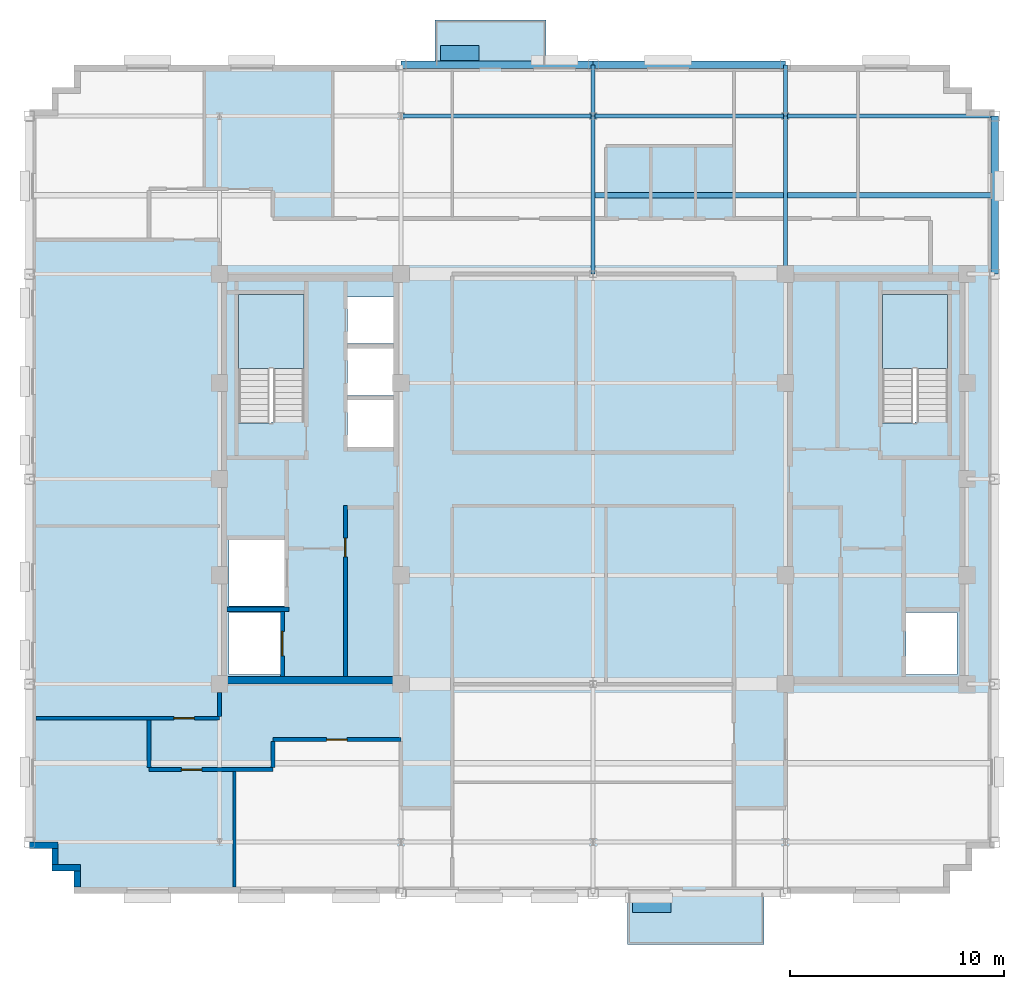
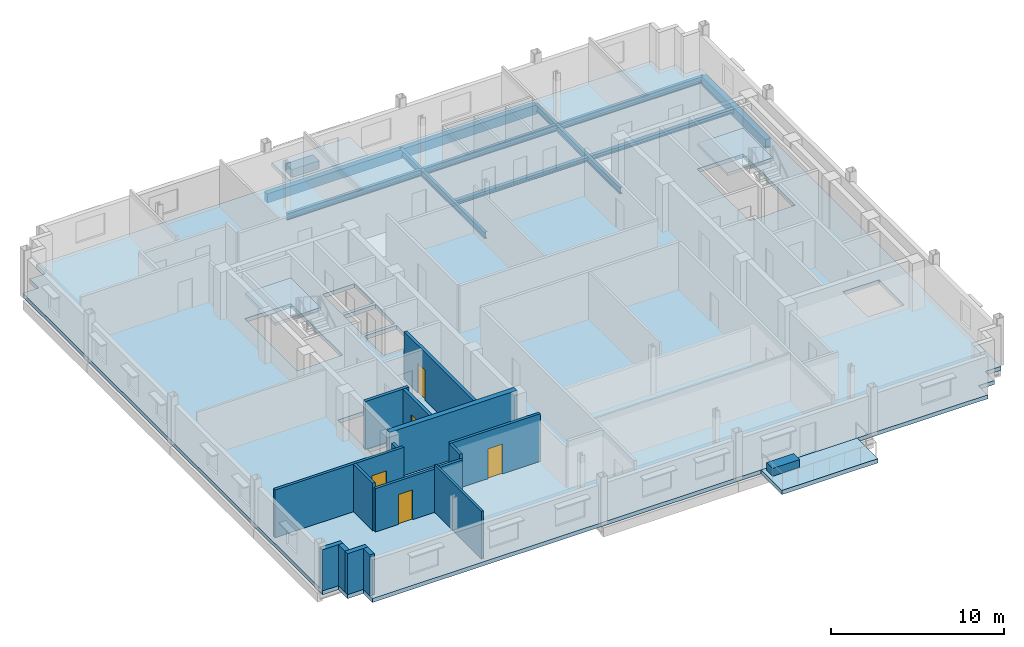
# One storey, part 5 of 13: 15 walls, 12 beams, 5 doors, 5 slabs, 2 plates, 5 openings, 2 elements without a shape of their own.
"""IFC4 building model written with IfcOpenShell, lengths in metres."""

from ifc_helpers import new_model, si_unit, direction, frame, frame_2d, origin, origin_2d, place, context, subcontext, project, spatial, polyline, rectangle, i_section, outline, extrude, source, transform, mapped, material, layer, layer_set, material_profile, profile_set, type_object, type_shapes, element, fill, aggregate, save


model = new_model("IFC4")

# Units and contexts
model_context = context("Model", 3, precision=1e-05, world=origin(), true_north=direction((0.0, 1.0)))
body_context = subcontext(model_context, "Body", "Model", "MODEL_VIEW")
ifc_project = project(units=[si_unit("LENGTHUNIT", "METRE"), si_unit("AREAUNIT", "SQUARE_METRE"), si_unit("VOLUMEUNIT", "CUBIC_METRE"), si_unit("PLANEANGLEUNIT", "RADIAN"), si_unit("MASSUNIT", "GRAM", prefix="KILO")], contexts=[model_context])

# Site, building, storey
site_placement = place(None, origin())
site = spatial("IfcSite", under=ifc_project, at=site_placement, CompositionType="ELEMENT")
building_placement = place(site_placement, origin())
building = spatial("IfcBuilding", under=site, at=building_placement, Name="Nuvemarco Arch Tower", CompositionType="ELEMENT")
storey_placement = place(building_placement, frame((0.0, 0.0, 231.050048828125)))
storey = spatial("IfcBuildingStorey", under=building, at=storey_placement, Name="L61", CompositionType="ELEMENT", Elevation=231.050048828125)

# Beams
ifc_material_1 = material(Name="Steel S355", Category="steel")
ifc_material_profile_1 = material_profile(ifc_material_1, i_section(OverallWidth=0.19189453125, OverallDepth=0.462890625, WebThickness=0.010498046875, FlangeThickness=0.017578125, FilletRadius=0.014892578125, at=origin_2d()), Name="W460x89")
ifc_profile_set_1 = profile_set([ifc_material_profile_1], Name="Steel S355")
beam_type_1 = type_object("IfcBeamType", Name="BM-GIRD-460", PredefinedType="BEAM", material=ifc_profile_set_1)
beam_1_placement = place(storey_placement, frame((0.0, 9.60009765625, -0.511474609375), z_axis=(0.0, 1.0, 0.0), x_axis=(-1.0, 0.0, 0.0)))
element("IfcBeam", 1, at=beam_1_placement, inside=storey, type_object=beam_type_1, Name="L61 structural beam BGNS_L61_0_+0.0_+9.6", PredefinedType="BEAM", context=body_context, shape_type="SweptSolid", body=[
    extrude(i_section(OverallWidth=0.19189453125, OverallDepth=0.462890625, WebThickness=0.010498046875, FlangeThickness=0.017578125, FilletRadius=0.014892578125, at=origin_2d()), origin(), (0.0, 0.0, 1.0), 7.39990234375),
])
beam_2_placement = place(storey_placement, frame((0.0, 17.0, -0.511474609375), z_axis=(0.0, 1.0, 0.0), x_axis=(-1.0, 0.0, 0.0)))
element("IfcBeam", 2, at=beam_2_placement, inside=storey, type_object=beam_type_1, Name="L61 structural beam BGNS_L61_0_+0.0_+17.0", PredefinedType="BEAM", context=body_context, shape_type="SweptSolid", body=[
    extrude(i_section(OverallWidth=0.19189453125, OverallDepth=0.462890625, WebThickness=0.010498046875, FlangeThickness=0.017578125, FilletRadius=0.014892578125, at=origin_2d()), origin(), (0.0, 0.0, 1.0), 2.39990234375),
])
beam_3_placement = place(storey_placement, frame((9.0, 9.60009765625, -0.511474609375), z_axis=(0.0, 1.0, 0.0), x_axis=(-1.0, 0.0, 0.0)))
element("IfcBeam", 3, at=beam_3_placement, inside=storey, type_object=beam_type_1, Name="L61 structural beam BGNS_L61_0_+9.0_+9.6", PredefinedType="BEAM", context=body_context, shape_type="SweptSolid", body=[
    extrude(i_section(OverallWidth=0.19189453125, OverallDepth=0.462890625, WebThickness=0.010498046875, FlangeThickness=0.017578125, FilletRadius=0.014892578125, at=origin_2d()), origin(), (0.0, 0.0, 1.0), 7.39990234375),
])
beam_4_placement = place(storey_placement, frame((9.0, 17.0, -0.511474609375), z_axis=(0.0, 1.0, 0.0), x_axis=(-1.0, 0.0, 0.0)))
element("IfcBeam", 4, at=beam_4_placement, inside=storey, type_object=beam_type_1, Name="L61 structural beam BGNS_L61_0_+9.0_+17.0", PredefinedType="BEAM", context=body_context, shape_type="SweptSolid", body=[
    extrude(i_section(OverallWidth=0.19189453125, OverallDepth=0.462890625, WebThickness=0.010498046875, FlangeThickness=0.017578125, FilletRadius=0.014892578125, at=origin_2d()), origin(), (0.0, 0.0, 1.0), 2.39990234375),
])
for number, where, z_axis, x_axis, name in (
    (5, (-9.0, 17.0, -0.511474609375), (1.0, 0.0, 0.0), (0.0, 1.0, 0.0), "L61 structural beam BGEW_L61_0_+17.0_-9.0"),
    (6, (0.0, 17.0, -0.511474609375), (1.0, 0.0, 0.0), (0.0, 1.0, 0.0), "L61 structural beam BGEW_L61_0_+17.0_+0.0"),
):
    element("IfcBeam", number, at=place(storey_placement, frame(where, z_axis=z_axis, x_axis=x_axis)), inside=storey, type_object=beam_type_1, Name=name, PredefinedType="BEAM", context=body_context, shape_type="SweptSolid", body=[
        extrude(i_section(OverallWidth=0.19189453125, OverallDepth=0.462890625, WebThickness=0.010498046875, FlangeThickness=0.017578125, FilletRadius=0.014892578125, at=origin_2d()), origin(), (0.0, 0.0, 1.0), 9.0),
    ])
beam_5_placement = place(storey_placement, frame((9.0, 17.0, -0.511474609375), z_axis=(1.0, 0.0, 0.0), x_axis=(0.0, 1.0, 0.0)))
element("IfcBeam", 7, at=beam_5_placement, inside=storey, type_object=beam_type_1, Name="L61 structural beam BGEW_L61_0_+17.0_+9.0", PredefinedType="BEAM", context=body_context, shape_type="SweptSolid", body=[
    extrude(i_section(OverallWidth=0.19189453125, OverallDepth=0.462890625, WebThickness=0.010498046875, FlangeThickness=0.017578125, FilletRadius=0.014892578125, at=origin_2d()), origin(), (0.0, 0.0, 1.0), 9.800048828125),
])
ifc_material_profile_2 = material_profile(ifc_material_1, i_section(OverallWidth=0.25390625, OverallDepth=0.305908203125, WebThickness=0.0087890625, FlangeThickness=0.0146484375, FilletRadius=0.014892578125, at=origin_2d()), Name="W310x79")
ifc_profile_set_2 = profile_set([ifc_material_profile_2], Name="Steel S355")
beam_type_2 = type_object("IfcBeamType", Name="BM-JOIST-310H", PredefinedType="JOIST", material=ifc_profile_set_2)
beam_6_placement = place(storey_placement, frame((0.095947265625, 13.300048828125, -0.43310546875), z_axis=(1.0, 0.0, 0.0), x_axis=(0.0, 1.0, 0.0)))
element("IfcBeam", 8, at=beam_6_placement, inside=storey, type_object=beam_type_2, Name="L61 structural beam BJ_L61_0_+13.3_+0.0", PredefinedType="JOIST", context=body_context, shape_type="SweptSolid", body=[
    extrude(i_section(OverallWidth=0.25390625, OverallDepth=0.305908203125, WebThickness=0.0087890625, FlangeThickness=0.0146484375, FilletRadius=0.014892578125, at=origin_2d()), origin(), (0.0, 0.0, 1.0), 8.80810546875),
])
beam_7_placement = place(storey_placement, frame((9.095947265625, 13.300048828125, -0.43310546875), z_axis=(1.0, 0.0, 0.0), x_axis=(0.0, 1.0, 0.0)))
element("IfcBeam", 9, at=beam_7_placement, inside=storey, type_object=beam_type_2, Name="L61 structural beam BJ_L61_0_+13.3_+9.0", PredefinedType="JOIST", context=body_context, shape_type="SweptSolid", body=[
    extrude(i_section(OverallWidth=0.25390625, OverallDepth=0.305908203125, WebThickness=0.0087890625, FlangeThickness=0.0146484375, FilletRadius=0.014892578125, at=origin_2d()), origin(), (0.0, 0.0, 1.0), 9.529052734375),
])
ifc_material_2 = material(Name="Precast concrete C45/55", Category="concrete")
ifc_material_profile_3 = material_profile(ifc_material_2, rectangle(XDim=0.35009765625, YDim=0.64990234375, at=origin_2d()), Name="PC-SP-350x650")
ifc_profile_set_3 = profile_set([ifc_material_profile_3], Name="Precast concrete C45/55")
beam_type_3 = type_object("IfcBeamType", Name="BM-SPAN-RC", PredefinedType="SPANDREL", material=ifc_profile_set_3)
beam_8_placement = place(storey_placement, frame((18.800048828125, 9.60009765625, -0.60498046875), z_axis=(0.0, 1.0, 0.0), x_axis=(-1.0, 0.0, 0.0)))
element("IfcBeam", 10, at=beam_8_placement, inside=storey, type_object=beam_type_3, Name="L61 structural beam BGNS_L61_0_+18.8_+9.6", PredefinedType="SPANDREL", context=body_context, shape_type="SweptSolid", body=[
    extrude(rectangle(XDim=0.35009765625, YDim=0.64990234375, at=origin_2d()), origin(), (0.0, 0.0, 1.0), 7.39990234375),
])
for number, where, z_axis, x_axis, name in (
    (11, (-9.0, 19.39990234375, -0.60498046875), (1.0, 0.0, 0.0), (0.0, 1.0, 0.0), "L61 structural beam BGEW_L61_0_+19.4_-9.0"),
    (12, (0.0, 19.39990234375, -0.60498046875), (1.0, 0.0, 0.0), (0.0, 1.0, 0.0), "L61 structural beam BGEW_L61_0_+19.4_+0.0"),
):
    element("IfcBeam", number, at=place(storey_placement, frame(where, z_axis=z_axis, x_axis=x_axis)), inside=storey, type_object=beam_type_3, Name=name, PredefinedType="SPANDREL", context=body_context, shape_type="SweptSolid", body=[
        extrude(rectangle(XDim=0.35009765625, YDim=0.64990234375, at=origin_2d()), origin(), (0.0, 0.0, 1.0), 9.0),
    ])

# Slab
ifc_material_3 = material(Name="Concrete C50/60", Category="concrete")
ifc_layer_1 = layer(ifc_material_3, 0.280029296875, Name="SL-FLR-280")
ifc_layer_set_1 = layer_set([ifc_layer_1], Name="Concrete C50/60")
slab_type_1 = type_object("IfcSlabType", Name="SL-FLR-280", PredefinedType="FLOOR", material=ifc_layer_set_1)
slab_1_placement = place(storey_placement, frame((0.0, 0.0, -0.280029296875)))
element("IfcSlab", 13, at=slab_1_placement, inside=storey, type_object=slab_type_1, Name="L61 structural floor slab", PredefinedType="FLOOR", context=body_context, shape_type="SweptSolid", body=[
    extrude(outline(polyline([(-24.300048828125, -19.39990234375), (16.699951171875, -19.39990234375), (16.699951171875, -18.35009765625), (17.75, -18.35009765625), (17.75, -17.300048828125), (18.800048828125, -17.300048828125), (18.800048828125, 17.300048828125), (17.75, 17.300048828125), (17.75, 18.35009765625), (16.699951171875, 18.35009765625), (16.699951171875, 19.39990234375), (-24.300048828125, 19.39990234375), (-24.300048828125, 18.35009765625), (-25.35009765625, 18.35009765625), (-25.35009765625, 17.300048828125), (-26.39990234375, 17.300048828125), (-26.39990234375, -17.300048828125), (-25.35009765625, -17.300048828125), (-25.35009765625, -18.35009765625), (-24.300048828125, -18.35009765625), (-24.300048828125, -19.39990234375)]), holes=[polyline([(-13.5400390625, 2.669921875), (-13.5400390625, 8.64990234375), (-16.60009765625, 8.64990234375), (-16.60009765625, 2.630615234375), (-15.070068359375, 2.630615234375), (-15.070068359375, 2.669921875), (-13.5400390625, 2.669921875)]), polyline([(16.60009765625, 2.669921875), (16.60009765625, 8.64990234375), (13.5400390625, 8.64990234375), (13.5400390625, 2.630615234375), (15.070068359375, 2.630615234375), (15.070068359375, 2.669921875), (16.60009765625, 2.669921875)]), polyline([(-17.050048828125, -9.14990234375), (-14.64990234375, -9.14990234375), (-14.64990234375, -6.25), (-17.050048828125, -6.25), (-17.050048828125, -9.14990234375)]), polyline([(-17.050048828125, -5.949951171875), (-14.449951171875, -5.949951171875), (-14.449951171875, -2.85009765625), (-17.050048828125, -2.85009765625), (-17.050048828125, -5.949951171875)]), polyline([(-11.5, 1.5), (-9.35009765625, 1.5), (-9.35009765625, 3.699951171875), (-11.5, 3.699951171875), (-11.5, 1.5)]), polyline([(-11.5, 3.919921875), (-9.35009765625, 3.919921875), (-9.35009765625, 6.1201171875), (-11.5, 6.1201171875), (-11.5, 3.919921875)]), polyline([(-11.5, 6.340087890625), (-9.35009765625, 6.340087890625), (-9.35009765625, 8.5400390625), (-11.5, 8.5400390625), (-11.5, 6.340087890625)]), polyline([(14.64990234375, -9.14990234375), (17.050048828125, -9.14990234375), (17.050048828125, -6.25), (14.64990234375, -6.25), (14.64990234375, -9.14990234375)])]), origin(), (0.0, 0.0, 1.0), 0.280029296875),
])

# Stair, slab
stair_type = type_object("IfcStairType", Name="ST-CORE-20R", PredefinedType="HALF_TURN_STAIR", material=ifc_material_2)
stair_1_placement = place(storey_placement, origin())
stair_1 = element("IfcStair", 14, at=stair_1_placement, inside=storey, type_object=stair_type, Name="L61 Protected Exit Stair ST-1", PredefinedType="HALF_TURN_STAIR")
ifc_layer_2 = layer(ifc_material_2, 0.199951171875, Name="SL-LANDING-200")
ifc_layer_set_2 = layer_set([ifc_layer_2], Name="Precast concrete C45/55")
slab_type_2 = type_object("IfcSlabType", Name="SL-LANDING-200", PredefinedType="LANDING", material=ifc_layer_set_2)
slab_2_placement = place(storey_placement, frame((0.0, 0.0, 1.625)))
slab_2 = element("IfcSlab", 15, at=slab_2_placement, type_object=slab_type_2, Name="ST-20R landing 1", PredefinedType="LANDING", context=body_context, shape_type="SweptSolid", body=[
    extrude(outline(polyline([(-13.5400390625, 5.189453125), (-13.5400390625, 8.64990234375), (-16.60009765625, 8.64990234375), (-16.60009765625, 5.169921875), (-15.070068359375, 5.169921875), (-15.070068359375, 5.189453125), (-13.5400390625, 5.189453125)])), origin(), (0.0, 0.0, 1.0), 0.199951171875),
])
aggregate(stair_1, [slab_2])

stair_2_placement = place(storey_placement, origin())
stair_2 = element("IfcStair", 16, at=stair_2_placement, inside=storey, type_object=stair_type, Name="L61 Protected Exit Stair ST-2", PredefinedType="HALF_TURN_STAIR")
slab_3_placement = place(storey_placement, frame((0.0, 0.0, 1.625)))
slab_3 = element("IfcSlab", 17, at=slab_3_placement, type_object=slab_type_2, Name="ST-20R landing 1", PredefinedType="LANDING", context=body_context, shape_type="SweptSolid", body=[
    extrude(outline(polyline([(16.60009765625, 5.189453125), (16.60009765625, 8.64990234375), (13.5400390625, 8.64990234375), (13.5400390625, 5.169921875), (15.070068359375, 5.169921875), (15.070068359375, 5.189453125), (16.60009765625, 5.189453125)])), origin(), (0.0, 0.0, 1.0), 0.199951171875),
])
aggregate(stair_2, [slab_3])

# Slabs
ifc_layer_3 = layer(ifc_material_3, 0.264892578125, Name="SL-TB1")
ifc_layer_set_3 = layer_set([ifc_layer_3], Name="Concrete C50/60")
slab_type_3 = type_object("IfcSlabType", Name="SL-TB1", PredefinedType="FLOOR", material=ifc_layer_set_3)
slab_4_placement = place(storey_placement, frame((0.0, 0.0, -0.26513671875)))
element("IfcSlab", 18, at=slab_4_placement, inside=storey, type_object=slab_type_3, Name="L61 outdoor tree balcony slab 2", PredefinedType="FLOOR", context=body_context, shape_type="SweptSolid", body=[
    extrude(outline(polyline([(-7.39990234375, 19.39990234375), (-2.199951171875, 19.39990234375), (-2.199951171875, 21.5), (-7.39990234375, 21.5), (-7.39990234375, 19.39990234375)])), origin(), (0.0, 0.0, 1.0), 0.26513671875),
])
ifc_layer_4 = layer(ifc_material_3, 0.294921875, Name="SL-TR4")
ifc_layer_set_4 = layer_set([ifc_layer_4], Name="Concrete C50/60")
slab_type_4 = type_object("IfcSlabType", Name="SL-TR4", PredefinedType="FLOOR", material=ifc_layer_set_4)
slab_5_placement = place(storey_placement, frame((0.0, 0.0, -0.295166015625)))
element("IfcSlab", 19, at=slab_5_placement, inside=storey, type_object=slab_type_4, Name="L61 outdoor spiral terrace slab 1", PredefinedType="FLOOR", context=body_context, shape_type="SweptSolid", body=[
    extrude(outline(polyline([(1.60009765625, -21.800048828125), (8.0, -21.800048828125), (8.0, -19.39990234375), (1.60009765625, -19.39990234375), (1.60009765625, -21.800048828125)])), origin(), (0.0, 0.0, 1.0), 0.295166015625),
])

# Plates
ifc_layer_5 = layer(ifc_material_2, 0.550048828125, Name="Tree Balcony Structural Planter")
ifc_layer_set_5 = layer_set([ifc_layer_5], Name="Precast concrete C45/55")
plate_type = type_object("IfcPlateType", Name="Tree Balcony Structural Planter", PredefinedType="USERDEFINED", material=ifc_layer_set_5)
shared_shape_1 = source(origin(), body_context, "Body", "SweptSolid", [
    extrude(rectangle(XDim=1.800048828125, YDim=0.699951171875, at=origin_2d()), origin(), (0.0, 0.0, 1.0), 0.550048828125),
])
type_shapes(plate_type, [shared_shape_1])
for number, where, z_axis, x_axis, name in (
    (20, (2.75, -19.949951171875, 0.0), (0.0, 0.0, 1.0), (1.0, 0.0, 0.0), "L61 Tree Balcony Structural Planter"),
    (21, (-6.25, 19.949951171875, 0.0), (0.0, 0.0, 1.0), (1.0, 0.0, 0.0), "L61 Tree Balcony Structural Planter"),
):
    element("IfcPlate", number, at=place(storey_placement, frame(where, z_axis=z_axis, x_axis=x_axis)), inside=storey, type_object=plate_type, Name=name, ObjectType="PLANTER", PredefinedType="USERDEFINED", context=body_context, shape_type="MappedRepresentation", body=[
        mapped(shared_shape_1, transform((0.0, 0.0, 0.0), scale=1.0)),
    ])

# Walls
ifc_layer_6 = layer(ifc_material_2, 0.300048828125, Name="EW-HIGH-300")
ifc_layer_set_6 = layer_set([ifc_layer_6], Name="Precast concrete C45/55")
wall_type_1 = type_object("IfcWallType", Name="EW-HIGH-300", PredefinedType="STANDARD", material=ifc_layer_set_6)
wall_1_placement = place(storey_placement, frame((-26.39990234375, -17.14990234375, 0.0), z_axis=(0.0, 0.0, 1.0), x_axis=(1.0, 0.0, 0.0)))
element("IfcWall", 22, at=wall_1_placement, inside=storey, type_object=wall_type_1, Name="L61 exterior precast facade wall 17", PredefinedType="STANDARD", context=body_context, shape_type="SweptSolid", body=[
    extrude(rectangle(XDim=1.349853515625, YDim=0.300048828125, at=frame_2d((0.6748046875, 0.0))), origin(), (0.0, 0.0, 1.0), 2.891845703125),
])
wall_2_placement = place(storey_placement, frame((-25.199951171875, -18.053955078125, 0.0), z_axis=(0.0, 0.0, 1.0), x_axis=(0.0, 1.0, 0.0)))
element("IfcWall", 23, at=wall_2_placement, inside=storey, type_object=wall_type_1, Name="L61 exterior precast facade wall 18", PredefinedType="STANDARD", context=body_context, shape_type="SweptSolid", body=[
    extrude(rectangle(XDim=0.758056640625, YDim=0.300048828125, at=frame_2d((0.37890625, 0.0))), origin(), (0.0, 0.0, 1.0), 2.891845703125),
])
wall_3_placement = place(storey_placement, frame((-25.35009765625, -18.199951171875, 0.0), z_axis=(0.0, 0.0, 1.0), x_axis=(1.0, 0.0, 0.0)))
element("IfcWall", 24, at=wall_3_placement, inside=storey, type_object=wall_type_1, Name="L61 exterior precast facade wall 19", PredefinedType="STANDARD", context=body_context, shape_type="SweptSolid", body=[
    extrude(rectangle(XDim=1.35009765625, YDim=0.300048828125, at=frame_2d((0.675048828125, 0.0))), origin(), (0.0, 0.0, 1.0), 2.891845703125),
])
wall_4_placement = place(storey_placement, frame((-24.14990234375, -19.10400390625, 0.0), z_axis=(0.0, 0.0, 1.0), x_axis=(0.0, 1.0, 0.0)))
element("IfcWall", 25, at=wall_4_placement, inside=storey, type_object=wall_type_1, Name="L61 exterior precast facade wall 20", PredefinedType="STANDARD", context=body_context, shape_type="SweptSolid", body=[
    extrude(rectangle(XDim=0.758056640625, YDim=0.300048828125, at=frame_2d((0.37890625, 0.0))), origin(), (0.0, 0.0, 1.0), 2.891845703125),
])
ifc_layer_7 = layer(ifc_material_3, 0.35009765625, Name="WL-CORE-350")
ifc_layer_set_7 = layer_set([ifc_layer_7], Name="Concrete C50/60")
wall_type_2 = type_object("IfcWallType", Name="WL-CORE-350", PredefinedType="SHEAR", material=ifc_layer_set_7)
wall_5_placement = place(storey_placement, frame((-17.5, -9.425048828125, 0.0), z_axis=(0.0, 0.0, 1.0), x_axis=(1.0, 0.0, 0.0)))
element("IfcWall", 26, at=wall_5_placement, inside=storey, type_object=wall_type_2, Name="L61 W-core shear wall S", PredefinedType="SHEAR", context=body_context, shape_type="SweptSolid", body=[
    extrude(rectangle(XDim=8.5, YDim=0.35009765625, at=frame_2d((4.25, 0.0))), origin(), (0.0, 0.0, 1.0), 3.369873046875),
])

# Wall, opening, door
ifc_material_4 = material(Name="Fire-rated gypsum drywall partition")
ifc_layer_8 = layer(ifc_material_4, 0.179931640625, Name="WL-CORR-180")
ifc_layer_set_8 = layer_set([ifc_layer_8], Name="Fire-rated gypsum drywall partition")
wall_type_3 = type_object("IfcWallType", Name="WL-CORR-180", PredefinedType="PARTITIONING", material=ifc_layer_set_8)
wall_6_placement = place(storey_placement, frame((-20.800048828125, -13.60009765625, 0.0), z_axis=(0.0, 0.0, 1.0), x_axis=(1.0, 0.0, 0.0)))
wall_6 = element("IfcWall", 27, at=wall_6_placement, inside=storey, type_object=wall_type_3, Name="L61 interior wall IW-L61-004", PredefinedType="PARTITIONING", context=body_context, shape_type="SweptSolid", body=[
    extrude(rectangle(XDim=5.800048828125, YDim=0.179931640625, at=frame_2d((2.89990234375, 0.0))), origin(), (0.0, 0.0, 1.0), 3.049072265625),
])
opening_1_placement = place(wall_6_placement, frame((1.52001953125, 0.0, 0.0)))
opening_1 = element("IfcOpeningElement", 28, at=opening_1_placement, cuts=wall_6, Name="Opening FD-5", PredefinedType="OPENING", context=body_context, shape_type="SweptSolid", body=[
    extrude(rectangle(XDim=0.9599609375, YDim=2.10009765625, at=frame_2d((0.47998046875, 1.050048828125))), frame((0.0, 0.099853515625, 0.0), z_axis=(0.0, -1.0, 0.0), x_axis=(1.0, 0.0, 0.0)), (0.0, 0.0, 1.0), 0.199951171875),
])
ifc_material_5 = material(Name="Timber fire door", Category="wood")
door_type_1 = type_object("IfcDoorType", Name="DR-CORR-FD", OperationType="NOTDEFINED", PredefinedType="DOOR", material=ifc_material_5)
shared_shape_2 = source(origin(), body_context, "Body", "SweptSolid", [
    extrude(rectangle(XDim=0.9599609375, YDim=2.10009765625, at=frame_2d((0.47998046875, 1.050048828125))), frame((0.0, 0.02490234375, 0.0), z_axis=(0.0, -1.0, 0.0), x_axis=(1.0, 0.0, 0.0)), (0.0, 0.0, 1.0), 0.050048828125),
])
type_shapes(door_type_1, [shared_shape_2])
door_1_placement = place(opening_1_placement, origin())
door_1 = element("IfcDoor", 29, at=door_1_placement, inside=storey, type_object=door_type_1, Name="L61 door DR-L61-S_1", OperationType="SINGLE_SWING_RIGHT", OverallHeight=2.10009765625, OverallWidth=0.9599609375, PredefinedType="DOOR", context=body_context, shape_type="MappedRepresentation", body=[
    mapped(shared_shape_2, transform((0.0, 0.0, 0.0), scale=1.0)),
])
fill(opening_1, door_1)

wall_7_placement = place(storey_placement, frame((-15.0, -12.199951171875, 0.0), z_axis=(0.0, 0.0, 1.0), x_axis=(1.0, 0.0, 0.0)))
wall_7 = element("IfcWall", 30, at=wall_7_placement, inside=storey, type_object=wall_type_3, Name="L61 interior wall IW-L61-005", PredefinedType="PARTITIONING", context=body_context, shape_type="SweptSolid", body=[
    extrude(rectangle(XDim=6.0, YDim=0.179931640625, at=frame_2d((3.0, 0.0))), origin(), (0.0, 0.0, 1.0), 3.35986328125),
])
opening_2_placement = place(wall_7_placement, frame((2.52001953125, 0.0, 0.0)))
opening_2 = element("IfcOpeningElement", 31, at=opening_2_placement, cuts=wall_7, Name="Opening FD-5", PredefinedType="OPENING", context=body_context, shape_type="SweptSolid", body=[
    extrude(rectangle(XDim=0.9599609375, YDim=2.10009765625, at=frame_2d((0.47998046875, 1.050048828125))), frame((0.0, 0.099853515625, 0.0), z_axis=(0.0, -1.0, 0.0), x_axis=(1.0, 0.0, 0.0)), (0.0, 0.0, 1.0), 0.199951171875),
])
door_2_placement = place(opening_2_placement, origin())
door_2 = element("IfcDoor", 32, at=door_2_placement, inside=storey, type_object=door_type_1, Name="L61 door DR-L61-S_2", OperationType="SINGLE_SWING_LEFT", OverallHeight=2.10009765625, OverallWidth=0.9599609375, PredefinedType="DOOR", context=body_context, shape_type="MappedRepresentation", body=[
    mapped(shared_shape_2, transform((0.0, 0.0, 0.0), scale=1.0)),
])
fill(opening_2, door_2)

wall_8_placement = place(storey_placement, frame((-26.10009765625, -11.199951171875, 0.0), z_axis=(0.0, 0.0, 1.0), x_axis=(1.0, 0.0, 0.0)))
wall_8 = element("IfcWall", 33, at=wall_8_placement, inside=storey, type_object=wall_type_3, Name="L61 interior wall IW-L61-006", PredefinedType="PARTITIONING", context=body_context, shape_type="SweptSolid", body=[
    extrude(rectangle(XDim=8.60009765625, YDim=0.179931640625, at=frame_2d((4.300048828125, 0.0))), origin(), (0.0, 0.0, 1.0), 3.35986328125),
])
opening_3_placement = place(wall_8_placement, frame((6.469970703125, 0.0, 0.0)))
opening_3 = element("IfcOpeningElement", 34, at=opening_3_placement, cuts=wall_8, Name="Opening FD-5", PredefinedType="OPENING", context=body_context, shape_type="SweptSolid", body=[
    extrude(rectangle(XDim=0.9599609375, YDim=2.10009765625, at=frame_2d((0.47998046875, 1.050048828125))), frame((0.0, 0.099853515625, 0.0), z_axis=(0.0, -1.0, 0.0), x_axis=(1.0, 0.0, 0.0)), (0.0, 0.0, 1.0), 0.199951171875),
])
door_3_placement = place(opening_3_placement, origin())
door_3 = element("IfcDoor", 35, at=door_3_placement, inside=storey, type_object=door_type_1, Name="L61 door DR-L61-W_1", OperationType="SINGLE_SWING_LEFT", OverallHeight=2.10009765625, OverallWidth=0.9599609375, PredefinedType="DOOR", context=body_context, shape_type="MappedRepresentation", body=[
    mapped(shared_shape_2, transform((0.0, 0.0, 0.0), scale=1.0)),
])
fill(opening_3, door_3)

# Walls
wall_9_placement = place(storey_placement, frame((-20.800048828125, -13.513916015625, 0.0), z_axis=(0.0, 0.0, 1.0), x_axis=(0.0, 1.0, 0.0)))
element("IfcWall", 36, at=wall_9_placement, inside=storey, type_object=wall_type_3, Name="L61 interior wall IW-L61-018", PredefinedType="PARTITIONING", context=body_context, shape_type="SweptSolid", body=[
    extrude(rectangle(XDim=2.22802734375, YDim=0.179931640625, at=frame_2d((1.114013671875, 0.0))), origin(), (0.0, 0.0, 1.0), 3.35986328125),
])
wall_10_placement = place(storey_placement, frame((-17.5, -11.114013671875, 0.0), z_axis=(0.0, 0.0, 1.0), x_axis=(0.0, 1.0, 0.0)))
element("IfcWall", 37, at=wall_10_placement, inside=storey, type_object=wall_type_3, Name="L61 interior wall IW-L61-021", PredefinedType="PARTITIONING", context=body_context, shape_type="SweptSolid", body=[
    extrude(rectangle(XDim=1.117919921875, YDim=0.179931640625, at=frame_2d((0.55908203125, 0.0))), origin(), (0.0, 0.0, 1.0), 2.891845703125),
])
wall_11_placement = place(storey_placement, frame((-15.0, -13.513916015625, 0.0), z_axis=(0.0, 0.0, 1.0), x_axis=(0.0, 1.0, 0.0)))
element("IfcWall", 38, at=wall_11_placement, inside=storey, type_object=wall_type_3, Name="L61 interior wall IW-L61-024", PredefinedType="PARTITIONING", context=body_context, shape_type="SweptSolid", body=[
    extrude(rectangle(XDim=1.22802734375, YDim=0.179931640625, at=frame_2d((0.614013671875, 0.0))), origin(), (0.0, 0.0, 1.0), 3.35986328125),
])
ifc_material_6 = material(Name="Gypsum plasterboard partition")
ifc_layer_9 = layer(ifc_material_6, 0.139892578125, Name="WL-ROOM-140")
ifc_layer_set_9 = layer_set([ifc_layer_9], Name="Gypsum plasterboard partition")
wall_type_4 = type_object("IfcWallType", Name="WL-ROOM-140", PredefinedType="PARTITIONING", material=ifc_layer_set_9)
wall_12_placement = place(storey_placement, frame((-16.800048828125, -19.10009765625, 0.0), z_axis=(0.0, 0.0, 1.0), x_axis=(0.0, 1.0, 0.0)))
element("IfcWall", 39, at=wall_12_placement, inside=storey, type_object=wall_type_4, Name="L61 interior wall IW-L61-023", PredefinedType="PARTITIONING", context=body_context, shape_type="SweptSolid", body=[
    extrude(rectangle(XDim=5.4140625, YDim=0.139892578125, at=frame_2d((2.70703125, 0.0))), origin(), (0.0, 0.0, 1.0), 3.35986328125),
])

# Wall, opening, door
ifc_layer_10 = layer(ifc_material_3, 0.199951171875, Name="WL-SHAFT-220")
ifc_layer_set_10 = layer_set([ifc_layer_10], Name="Concrete C50/60")
wall_type_5 = type_object("IfcWallType", Name="WL-SHAFT-220", PredefinedType="SHEAR", material=ifc_layer_set_10)
wall_13_placement = place(storey_placement, frame((-14.550048828125, -9.2548828125, 0.0), z_axis=(0.0, 0.0, 1.0), x_axis=(0.0, 1.0, 0.0)))
wall_13 = element("IfcWall", 40, at=wall_13_placement, inside=storey, type_object=wall_type_5, Name="L61 structural shaft wall SW-L61-W-SHE", PredefinedType="SHEAR", context=body_context, shape_type="SweptSolid", body=[
    extrude(rectangle(XDim=3.059814453125, YDim=0.199951171875, at=frame_2d((1.52978515625, 0.0))), origin(), (0.0, 0.0, 1.0), 3.369873046875),
])
opening_4_placement = place(wall_13_placement, frame((0.97998046875, 0.0, 0.0)))
opening_4 = element("IfcOpeningElement", 41, at=opening_4_placement, cuts=wall_13, Name="Opening LD-2", PredefinedType="OPENING", context=body_context, shape_type="SweptSolid", body=[
    extrude(rectangle(XDim=1.14990234375, YDim=2.14990234375, at=frame_2d((0.574951171875, 1.074951171875))), frame((0.0, 0.10986328125, 0.0), z_axis=(0.0, -1.0, 0.0), x_axis=(1.0, 0.0, 0.0)), (0.0, 0.0, 1.0), 0.219970703125),
])
ifc_material_7 = material(Name="Stainless steel lift door", Category="steel")
door_type_2 = type_object("IfcDoorType", Name="DR-LIFT-FIRE", OperationType="DOUBLE_DOOR_SLIDING", PredefinedType="DOOR", material=ifc_material_7)
shared_shape_3 = source(origin(), body_context, "Body", "SweptSolid", [
    extrude(rectangle(XDim=1.14990234375, YDim=2.14990234375, at=frame_2d((0.574951171875, 1.074951171875))), frame((0.0, 0.02490234375, 0.0), z_axis=(0.0, -1.0, 0.0), x_axis=(1.0, 0.0, 0.0)), (0.0, 0.0, 1.0), 0.050048828125),
])
type_shapes(door_type_2, [shared_shape_3])
door_4_placement = place(opening_4_placement, origin())
door_4 = element("IfcDoor", 42, at=door_4_placement, inside=storey, type_object=door_type_2, Name="L61 Lift landing sliding door FFL-1", OperationType="DOUBLE_DOOR_SLIDING", OverallHeight=2.14990234375, OverallWidth=1.14990234375, PredefinedType="DOOR", context=body_context, shape_type="MappedRepresentation", body=[
    mapped(shared_shape_3, transform((0.0, 0.0, 0.0), scale=1.0)),
])
fill(opening_4, door_4)

# Wall
wall_14_placement = place(storey_placement, frame((-17.155029296875, -6.10009765625, 0.0), z_axis=(0.0, 0.0, 1.0), x_axis=(1.0, 0.0, 0.0)))
element("IfcWall", 43, at=wall_14_placement, inside=storey, type_object=wall_type_5, Name="L61 structural shaft wall SW-L61-W-SH1", PredefinedType="SHEAR", context=body_context, shape_type="SweptSolid", body=[
    extrude(rectangle(XDim=2.905029296875, YDim=0.199951171875, at=frame_2d((1.45263671875, 0.0))), origin(), (0.0, 0.0, 1.0), 3.369873046875),
])

# Wall, opening, door
wall_15_placement = place(storey_placement, frame((-11.60009765625, -9.2548828125, 0.0), z_axis=(0.0, 0.0, 1.0), x_axis=(0.0, 1.0, 0.0)))
wall_15 = element("IfcWall", 44, at=wall_15_placement, inside=storey, type_object=wall_type_5, Name="L61 structural shaft wall SW-L61-W-PLW", PredefinedType="SHEAR", context=body_context, shape_type="SweptSolid", body=[
    extrude(rectangle(XDim=8.02490234375, YDim=0.199951171875, at=frame_2d((4.012451171875, 0.0))), origin(), (0.0, 0.0, 1.0), 3.369873046875),
])
opening_5_placement = place(wall_15_placement, frame((5.614990234375, 0.0, 0.0)))
opening_5 = element("IfcOpeningElement", 45, at=opening_5_placement, cuts=wall_15, Name="Opening FD-4", PredefinedType="OPENING", context=body_context, shape_type="SweptSolid", body=[
    extrude(rectangle(XDim=0.8798828125, YDim=2.10009765625, at=frame_2d((0.43994140625, 1.050048828125))), frame((0.0, 0.10986328125, 0.0), z_axis=(0.0, -1.0, 0.0), x_axis=(1.0, 0.0, 0.0)), (0.0, 0.0, 1.0), 0.219970703125),
])
ifc_material_8 = material(Name="Anodised steel fire door", Category="steel")
door_type_3 = type_object("IfcDoorType", Name="DR-RISER-FD", OperationType="NOTDEFINED", PredefinedType="DOOR", material=ifc_material_8)
shared_shape_4 = source(origin(), body_context, "Body", "SweptSolid", [
    extrude(rectangle(XDim=0.8798828125, YDim=2.10009765625, at=frame_2d((0.43994140625, 1.050048828125))), frame((0.0, 0.02490234375, 0.0), z_axis=(0.0, -1.0, 0.0), x_axis=(1.0, 0.0, 0.0)), (0.0, 0.0, 1.0), 0.050048828125),
])
type_shapes(door_type_3, [shared_shape_4])
door_5_placement = place(opening_5_placement, origin())
door_5 = element("IfcDoor", 46, at=door_5_placement, inside=storey, type_object=door_type_3, Name="L61 door FD-L61-WREC1", OperationType="SINGLE_SWING_RIGHT", OverallHeight=2.10009765625, OverallWidth=0.8798828125, PredefinedType="DOOR", context=body_context, shape_type="MappedRepresentation", body=[
    mapped(shared_shape_4, transform((0.0, 0.0, 0.0), scale=1.0)),
])
fill(opening_5, door_5)

save(model, "model.ifc")
